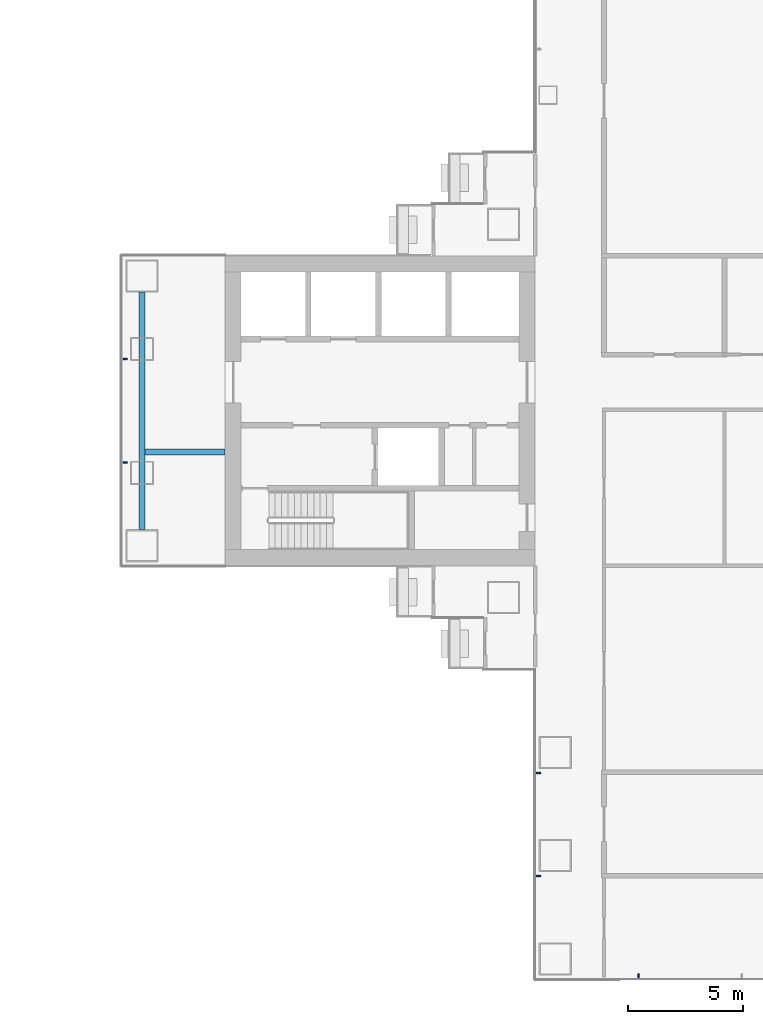
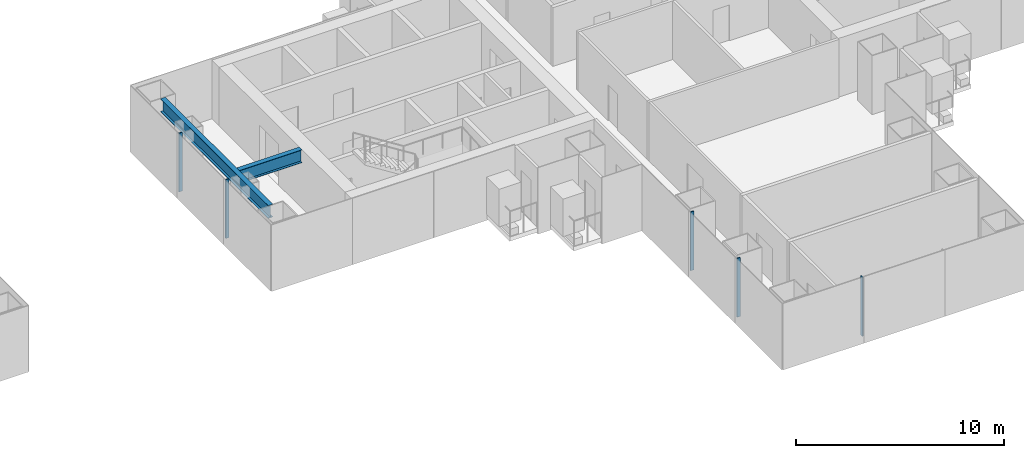
# One storey, part 7 of 22: 5 members, 2 beams, 3 elements without a shape of their own.
"""IFC4 building model written with IfcOpenShell, lengths in metres."""

from ifc_helpers import new_model, si_unit, direction, frame, origin, origin_2d, place, context, subcontext, project, spatial, rectangle, i_section, extrude, material, layer, layer_set, material_profile, profile_set, type_object, element, aggregate, save


model = new_model("IFC4")

# Units and contexts
model_context = context("Model", 3, precision=1e-05, world=origin(), true_north=direction((0.0, 1.0)))
body_context = subcontext(model_context, "Body", "Model", "MODEL_VIEW")
ifc_project = project(units=[si_unit("LENGTHUNIT", "METRE"), si_unit("AREAUNIT", "SQUARE_METRE"), si_unit("VOLUMEUNIT", "CUBIC_METRE"), si_unit("PLANEANGLEUNIT", "RADIAN"), si_unit("MASSUNIT", "GRAM", prefix="KILO")], contexts=[model_context])

# Site, building, storey
site_placement = place(None, origin())
site = spatial("IfcSite", under=ifc_project, at=site_placement, CompositionType="ELEMENT")
building_placement = place(site_placement, origin())
building = spatial("IfcBuilding", under=site, at=building_placement, Name="Shamsa Quay Exchange Towers", CompositionType="ELEMENT")
storey_placement = place(building_placement, frame((0.0, 0.0, 73.199951171875)))
storey = spatial("IfcBuildingStorey", under=building, at=storey_placement, Name="L16", CompositionType="ELEMENT", Elevation=73.199951171875)

# Curtain wall, members
ifc_material_1 = material(Name="Aluminium EN AW-6063 T6, black anodised", Category="aluminium")
ifc_layer = layer(ifc_material_1, 0.280029296875)
ifc_layer_set = layer_set([ifc_layer], Name="CW-1 UNITISED VISION GLASS")
curtain_wall_type = type_object("IfcCurtainWallType", Name="CW-1 UNITISED VISION GLASS", PredefinedType="NOTDEFINED", material=ifc_layer_set)
curtain_wall_1_placement = place(storey_placement, origin())
curtain_wall_1 = element("IfcCurtainWall", 1, at=curtain_wall_1_placement, inside=storey, type_object=curtain_wall_type, Name="CW1 T2-END-V+ L16", PredefinedType="NOTDEFINED")
ifc_material_profile_1 = material_profile(ifc_material_1, rectangle(XDim=0.179931640625, YDim=0.06005859375, at=origin_2d()), Name="MU60x180")
ifc_profile_set_1 = profile_set([ifc_material_profile_1], Name="Aluminium EN AW-6063 T6, black anodised")
member_type = type_object("IfcMemberType", Name="CW1 MULLION 60x180", PredefinedType="MULLION", material=ifc_profile_set_1)
member_1_placement = place(storey_placement, frame((9.14990234375, 2.25, 0.0)))
member_1 = element("IfcMember", 2, at=member_1_placement, type_object=member_type, Name="CW1 mullion", PredefinedType="MULLION", context=body_context, shape_type="SweptSolid", body=[
    extrude(rectangle(XDim=0.179931640625, YDim=0.06005859375, at=origin_2d()), origin(), (0.0, 0.0, 1.0), 3.449951171875),
])
member_2_placement = place(storey_placement, frame((9.14990234375, -2.25, 0.0)))
member_2 = element("IfcMember", 3, at=member_2_placement, type_object=member_type, Name="CW1 mullion", PredefinedType="MULLION", context=body_context, shape_type="SweptSolid", body=[
    extrude(rectangle(XDim=0.179931640625, YDim=0.06005859375, at=origin_2d()), origin(), (0.0, 0.0, 1.0), 3.449951171875),
])
aggregate(curtain_wall_1, [member_1, member_2])

curtain_wall_2_placement = place(storey_placement, origin())
curtain_wall_2 = element("IfcCurtainWall", 4, at=curtain_wall_2_placement, inside=storey, type_object=curtain_wall_type, Name="CW1 T2-FLK-U-N L16", PredefinedType="NOTDEFINED")
member_3_placement = place(storey_placement, frame((27.14990234375, -15.775390625, 0.0)))
member_3 = element("IfcMember", 5, at=member_3_placement, type_object=member_type, Name="CW1 mullion", PredefinedType="MULLION", context=body_context, shape_type="SweptSolid", body=[
    extrude(rectangle(XDim=0.179931640625, YDim=0.06005859375, at=origin_2d()), origin(), (0.0, 0.0, 1.0), 3.449951171875),
])
member_4_placement = place(storey_placement, frame((27.14990234375, -20.2626953125, 0.0)))
member_4 = element("IfcMember", 6, at=member_4_placement, type_object=member_type, Name="CW1 mullion", PredefinedType="MULLION", context=body_context, shape_type="SweptSolid", body=[
    extrude(rectangle(XDim=0.179931640625, YDim=0.06005859375, at=origin_2d()), origin(), (0.0, 0.0, 1.0), 3.449951171875),
])
aggregate(curtain_wall_2, [member_3, member_4])

# Curtain wall, member
curtain_wall_3_placement = place(storey_placement, origin())
curtain_wall_3 = element("IfcCurtainWall", 7, at=curtain_wall_3_placement, inside=storey, type_object=curtain_wall_type, Name="CW1 T2-END-U- L16", PredefinedType="NOTDEFINED")
member_5_placement = place(storey_placement, frame((31.5, -24.60009765625, 0.0), z_axis=(0.0, 0.0, 1.0), x_axis=(0.0, 1.0, 0.0)))
member_5 = element("IfcMember", 8, at=member_5_placement, type_object=member_type, Name="CW1 mullion", PredefinedType="MULLION", context=body_context, shape_type="SweptSolid", body=[
    extrude(rectangle(XDim=0.179931640625, YDim=0.06005859375, at=origin_2d()), origin(), (0.0, 0.0, 1.0), 3.449951171875),
])
aggregate(curtain_wall_3, [member_5])

# Beams
ifc_material_2 = material(Name="Steel S355", Category="steel")
ifc_material_profile_2 = material_profile(ifc_material_2, i_section(OverallWidth=0.26611328125, OverallDepth=0.7578125, WebThickness=0.013916015625, FlangeThickness=0.019287109375, at=origin_2d()), Name="W30x108")
ifc_profile_set_2 = profile_set([ifc_material_profile_2], Name="Steel S355")
beam_type = type_object("IfcBeamType", Name="End-zone beam W30x108", PredefinedType="BEAM", material=ifc_profile_set_2)
beam_1_placement = place(storey_placement, frame((9.875, -5.175048828125, 3.0712890625), z_axis=(0.0, 1.0, 0.0), x_axis=(-1.0, 0.0, 0.0)))
element("IfcBeam", 9, at=beam_1_placement, inside=storey, type_object=beam_type, Name="End beam T2 V+ end zone L16", PredefinedType="BEAM", context=body_context, shape_type="SweptSolid", body=[
    extrude(i_section(OverallWidth=0.26611328125, OverallDepth=0.7578125, WebThickness=0.013916015625, FlangeThickness=0.019287109375, at=origin_2d()), origin(), (0.0, 0.0, 1.0), 10.35009765625),
])
beam_2_placement = place(storey_placement, frame((13.5, -1.800048828125, 3.0712890625), z_axis=(-1.0, 0.0, 0.0), x_axis=(0.0, -1.0, 0.0)))
element("IfcBeam", 10, at=beam_2_placement, inside=storey, type_object=beam_type, Name="Spine beam T2 V+ end zone L16", PredefinedType="BEAM", context=body_context, shape_type="SweptSolid", body=[
    extrude(i_section(OverallWidth=0.26611328125, OverallDepth=0.7578125, WebThickness=0.013916015625, FlangeThickness=0.019287109375, at=origin_2d()), origin(), (0.0, 0.0, 1.0), 3.491943359375),
])

save(model, "model.ifc")
